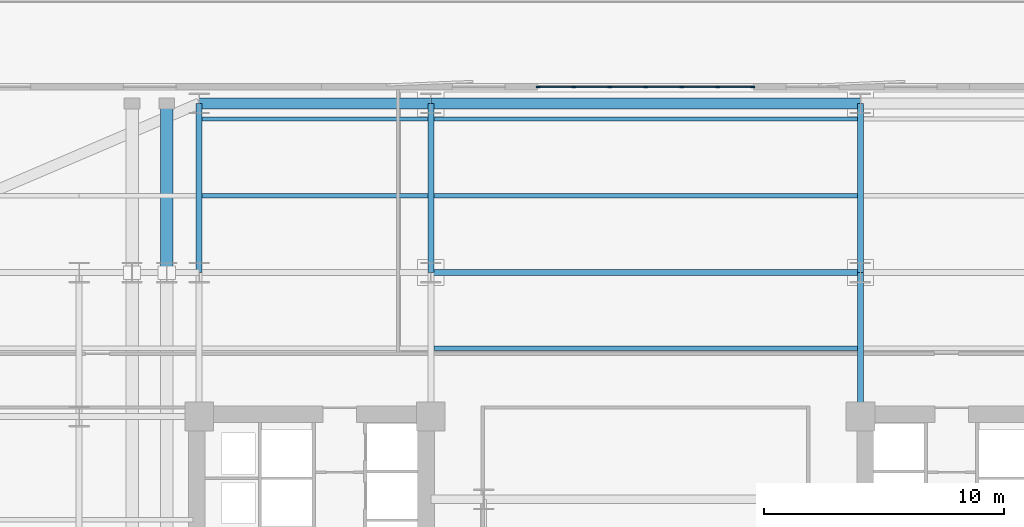
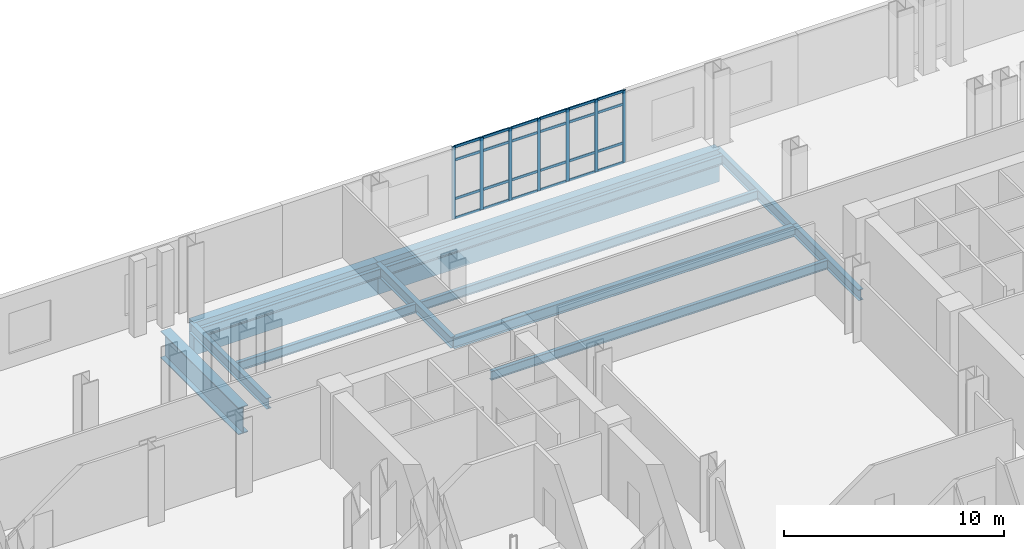
# One storey, part 3 of 14: 31 members, 13 beams, 1 element without a shape of its own.
"""IFC4 building model written with IfcOpenShell, lengths in metres."""

from ifc_helpers import new_model, si_unit, direction, frame, origin, origin_2d, place, context, subcontext, project, spatial, rectangle, i_section, extrude, material, layer, layer_set, material_profile, profile_set, type_object, element, aggregate, save


model = new_model("IFC4")

# Units and contexts
model_context = context("Model", 3, precision=1e-05, world=origin(), true_north=direction((0.0, 1.0)))
body_context = subcontext(model_context, "Body", "Model", "MODEL_VIEW")
ifc_project = project(units=[si_unit("LENGTHUNIT", "METRE"), si_unit("AREAUNIT", "SQUARE_METRE"), si_unit("VOLUMEUNIT", "CUBIC_METRE"), si_unit("PLANEANGLEUNIT", "RADIAN"), si_unit("MASSUNIT", "GRAM", prefix="KILO")], contexts=[model_context])

# Site, building, storey
site_placement = place(None, origin())
site = spatial("IfcSite", under=ifc_project, at=site_placement, CompositionType="ELEMENT")
building_placement = place(site_placement, origin())
building = spatial("IfcBuilding", under=site, at=building_placement, Name="Velakula Bourse", CompositionType="ELEMENT")
storey_placement = place(building_placement, frame((0.0, 0.0, 27.0)))
storey = spatial("IfcBuildingStorey", under=building, at=storey_placement, Name="L06", CompositionType="ELEMENT", Elevation=27.0)

# Beams
ifc_material_1 = material(Name="Steel IS 2062 Grade 350 (E350)", Category="steel")
ifc_material_profile_1 = material_profile(ifc_material_1, i_section(OverallWidth=0.25, OverallDepth=0.60009765625, WebThickness=0.01171875, FlangeThickness=0.023681640625, at=origin_2d()), Name="Steel IS 2062 Grade 350 (E350)")
ifc_profile_set_1 = profile_set([ifc_material_profile_1], Name="Steel IS 2062 Grade 350 (E350)")
beam_type_1 = type_object("IfcBeamType", Name="BM-GRD-600H", PredefinedType="BEAM", material=ifc_profile_set_1)
beam_1_placement = place(storey_placement, frame((8.949951171875, 8.60009765625, -0.580078125), z_axis=(0.0, 1.0, 0.0), x_axis=(-1.0, 0.0, 0.0)))
element("IfcBeam", 1, at=beam_1_placement, inside=storey, type_object=beam_type_1, Name="L06 Fulcrum Grid Girder FLC-ECN", PredefinedType="BEAM", context=body_context, shape_type="SweptSolid", body=[
    extrude(i_section(OverallWidth=0.25, OverallDepth=0.60009765625, WebThickness=0.01171875, FlangeThickness=0.023681640625, at=origin_2d()), origin(), (0.0, 0.0, 1.0), 6.0),
])
beam_2_placement = place(storey_placement, frame((-8.949951171875, 14.60009765625, -0.580078125), z_axis=(1.0, 0.0, 0.0), x_axis=(0.0, 1.0, 0.0)))
element("IfcBeam", 2, at=beam_2_placement, inside=storey, type_object=beam_type_1, Name="L06 Fulcrum Grid Girder FLC-N2", PredefinedType="BEAM", context=body_context, shape_type="SweptSolid", body=[
    extrude(i_section(OverallWidth=0.25, OverallDepth=0.60009765625, WebThickness=0.01171875, FlangeThickness=0.023681640625, at=origin_2d()), origin(), (0.0, 0.0, 1.0), 17.89990234375),
])
for number, where, z_axis, x_axis, name in (
    (3, (-18.60009765625, 14.60009765625, -0.580078125), (0.0, 1.0, 0.0), (-1.0, 0.0, 0.0), "L06 Perimeter Tie Girder N1"),
    (4, (-8.949951171875, 14.60009765625, -0.580078125), (0.0, 1.0, 0.0), (-1.0, 0.0, 0.0), "L06 Perimeter Tie Girder N2"),
    (5, (8.949951171875, 14.60009765625, -0.580078125), (0.0, 1.0, 0.0), (-1.0, 0.0, 0.0), "L06 Perimeter Tie Girder N3"),
):
    element("IfcBeam", number, at=place(storey_placement, frame(where, z_axis=z_axis, x_axis=x_axis)), inside=storey, type_object=beam_type_1, Name=name, PredefinedType="BEAM", context=body_context, shape_type="SweptSolid", body=[
        extrude(i_section(OverallWidth=0.25, OverallDepth=0.60009765625, WebThickness=0.01171875, FlangeThickness=0.023681640625, at=origin_2d()), origin(), (0.0, 0.0, 1.0), 7.0498046875),
    ])
ifc_material_profile_2 = material_profile(ifc_material_1, i_section(OverallWidth=0.179931640625, OverallDepth=0.5, WebThickness=0.01025390625, FlangeThickness=0.01708984375, at=origin_2d()), Name="Steel IS 2062 Grade 350 (E350)")
ifc_profile_set_2 = profile_set([ifc_material_profile_2], Name="Steel IS 2062 Grade 350 (E350)")
beam_type_2 = type_object("IfcBeamType", Name="JST-TWR-500", PredefinedType="JOIST", material=ifc_profile_set_2)
beam_3_placement = place(storey_placement, frame((-8.824951171875, 11.449951171875, -0.530029296875), z_axis=(1.0, 0.0, 0.0), x_axis=(0.0, 1.0, 0.0)))
element("IfcBeam", 6, at=beam_3_placement, inside=storey, type_object=beam_type_2, Name="L06 Trading Floor Composite Joist 24", PredefinedType="JOIST", context=body_context, shape_type="SweptSolid", body=[
    extrude(i_section(OverallWidth=0.179931640625, OverallDepth=0.5, WebThickness=0.01025390625, FlangeThickness=0.01708984375, at=origin_2d()), origin(), (0.0, 0.0, 1.0), 17.64990234375),
])
beam_4_placement = place(storey_placement, frame((-18.47509765625, 17.800048828125, -0.530029296875), z_axis=(1.0, 0.0, 0.0), x_axis=(0.0, 1.0, 0.0)))
element("IfcBeam", 7, at=beam_4_placement, inside=storey, type_object=beam_type_2, Name="L06 Trading Floor Composite Joist 31", PredefinedType="JOIST", context=body_context, shape_type="SweptSolid", body=[
    extrude(i_section(OverallWidth=0.179931640625, OverallDepth=0.5, WebThickness=0.01025390625, FlangeThickness=0.01708984375, at=origin_2d()), origin(), (0.0, 0.0, 1.0), 9.400146484375),
])
beam_5_placement = place(storey_placement, frame((-8.824951171875, 17.800048828125, -0.530029296875), z_axis=(1.0, 0.0, 0.0), x_axis=(0.0, 1.0, 0.0)))
element("IfcBeam", 8, at=beam_5_placement, inside=storey, type_object=beam_type_2, Name="L06 Trading Floor Composite Joist 32", PredefinedType="JOIST", context=body_context, shape_type="SweptSolid", body=[
    extrude(i_section(OverallWidth=0.179931640625, OverallDepth=0.5, WebThickness=0.01025390625, FlangeThickness=0.01708984375, at=origin_2d()), origin(), (0.0, 0.0, 1.0), 17.64990234375),
])
beam_6_placement = place(storey_placement, frame((-18.47509765625, 21.0, -0.530029296875), z_axis=(1.0, 0.0, 0.0), x_axis=(0.0, 1.0, 0.0)))
element("IfcBeam", 9, at=beam_6_placement, inside=storey, type_object=beam_type_2, Name="L06 Trading Floor Composite Joist 36", PredefinedType="JOIST", context=body_context, shape_type="SweptSolid", body=[
    extrude(i_section(OverallWidth=0.179931640625, OverallDepth=0.5, WebThickness=0.01025390625, FlangeThickness=0.01708984375, at=origin_2d()), origin(), (0.0, 0.0, 1.0), 9.400146484375),
])
beam_7_placement = place(storey_placement, frame((-8.824951171875, 21.0, -0.530029296875), z_axis=(1.0, 0.0, 0.0), x_axis=(0.0, 1.0, 0.0)))
element("IfcBeam", 10, at=beam_7_placement, inside=storey, type_object=beam_type_2, Name="L06 Trading Floor Composite Joist 37", PredefinedType="JOIST", context=body_context, shape_type="SweptSolid", body=[
    extrude(i_section(OverallWidth=0.179931640625, OverallDepth=0.5, WebThickness=0.01025390625, FlangeThickness=0.01708984375, at=origin_2d()), origin(), (0.0, 0.0, 1.0), 17.64990234375),
])

# Curtain wall, members
ifc_material_2 = material(Name="Anodised bronze architectural aluminium", Category="aluminium")
ifc_layer = layer(ifc_material_2, 0.1650390625, Name="Anodised bronze architectural aluminium", Category="aluminium")
ifc_layer_set = layer_set([ifc_layer], Name="Anodised bronze architectural aluminium")
curtain_wall_type = type_object("IfcCurtainWallType", Name="CW-SL1", PredefinedType="NOTDEFINED", material=ifc_layer_set)
curtain_wall_placement = place(storey_placement, origin())
curtain_wall = element("IfcCurtainWall", 11, at=curtain_wall_placement, inside=storey, type_object=curtain_wall_type, Name="L06 Sky-Lobby Feature Curtain Wall", PredefinedType="NOTDEFINED")
ifc_material_profile_3 = material_profile(ifc_material_2, rectangle(XDim=0.06005859375, YDim=0.1650390625, at=origin_2d()), Name="Anodised bronze architectural aluminium")
ifc_profile_set_3 = profile_set([ifc_material_profile_3], Name="Anodised bronze architectural aluminium")
member_type_1 = type_object("IfcMemberType", Name="MUL-CW-SL1", PredefinedType="MULLION", material=ifc_profile_set_3)
member_1_placement = place(storey_placement, frame((-4.469970703125, 22.340087890625, 0.0), z_axis=(0.0, 0.0, 1.0), x_axis=(0.0, 1.0, 0.0)))
member_1 = element("IfcMember", 12, at=member_1_placement, type_object=member_type_1, Name="CW-SL1 mullion 1", PredefinedType="MULLION", context=body_context, shape_type="SweptSolid", body=[
    extrude(rectangle(XDim=0.06005859375, YDim=0.1650390625, at=origin_2d()), origin(), (0.0, 0.0, 1.0), 4.0),
])
member_2_placement = place(storey_placement, frame((-3.0, 22.340087890625, 0.0), z_axis=(0.0, 0.0, 1.0), x_axis=(0.0, 1.0, 0.0)))
member_2 = element("IfcMember", 13, at=member_2_placement, type_object=member_type_1, Name="CW-SL1 mullion 2", PredefinedType="MULLION", context=body_context, shape_type="SweptSolid", body=[
    extrude(rectangle(XDim=0.06005859375, YDim=0.1650390625, at=origin_2d()), origin(), (0.0, 0.0, 1.0), 4.0),
])
member_3_placement = place(storey_placement, frame((-1.5, 22.340087890625, 0.0), z_axis=(0.0, 0.0, 1.0), x_axis=(0.0, 1.0, 0.0)))
member_3 = element("IfcMember", 14, at=member_3_placement, type_object=member_type_1, Name="CW-SL1 mullion 3", PredefinedType="MULLION", context=body_context, shape_type="SweptSolid", body=[
    extrude(rectangle(XDim=0.06005859375, YDim=0.1650390625, at=origin_2d()), origin(), (0.0, 0.0, 1.0), 4.0),
])
member_4_placement = place(storey_placement, frame((0.0, 22.340087890625, 0.0), z_axis=(0.0, 0.0, 1.0), x_axis=(0.0, 1.0, 0.0)))
member_4 = element("IfcMember", 15, at=member_4_placement, type_object=member_type_1, Name="CW-SL1 mullion 4", PredefinedType="MULLION", context=body_context, shape_type="SweptSolid", body=[
    extrude(rectangle(XDim=0.06005859375, YDim=0.1650390625, at=origin_2d()), origin(), (0.0, 0.0, 1.0), 4.0),
])
member_5_placement = place(storey_placement, frame((1.5, 22.340087890625, 0.0), z_axis=(0.0, 0.0, 1.0), x_axis=(0.0, 1.0, 0.0)))
member_5 = element("IfcMember", 16, at=member_5_placement, type_object=member_type_1, Name="CW-SL1 mullion 5", PredefinedType="MULLION", context=body_context, shape_type="SweptSolid", body=[
    extrude(rectangle(XDim=0.06005859375, YDim=0.1650390625, at=origin_2d()), origin(), (0.0, 0.0, 1.0), 4.0),
])
member_6_placement = place(storey_placement, frame((3.0, 22.340087890625, 0.0), z_axis=(0.0, 0.0, 1.0), x_axis=(0.0, 1.0, 0.0)))
member_6 = element("IfcMember", 17, at=member_6_placement, type_object=member_type_1, Name="CW-SL1 mullion 6", PredefinedType="MULLION", context=body_context, shape_type="SweptSolid", body=[
    extrude(rectangle(XDim=0.06005859375, YDim=0.1650390625, at=origin_2d()), origin(), (0.0, 0.0, 1.0), 4.0),
])
member_7_placement = place(storey_placement, frame((4.469970703125, 22.340087890625, 0.0), z_axis=(0.0, 0.0, 1.0), x_axis=(0.0, 1.0, 0.0)))
member_7 = element("IfcMember", 18, at=member_7_placement, type_object=member_type_1, Name="CW-SL1 mullion 7", PredefinedType="MULLION", context=body_context, shape_type="SweptSolid", body=[
    extrude(rectangle(XDim=0.06005859375, YDim=0.1650390625, at=origin_2d()), origin(), (0.0, 0.0, 1.0), 4.0),
])

# Beams
ifc_material_3 = material(Name="Concrete M50 (fck 50 MPa)", Category="concrete")
ifc_material_profile_4 = material_profile(ifc_material_3, rectangle(XDim=0.449951171875, YDim=1.800048828125, at=origin_2d()), Name="Concrete M50 (fck 50 MPa)")
ifc_profile_set_4 = profile_set([ifc_material_profile_4], Name="Concrete M50 (fck 50 MPa)")
beam_type_3 = type_object("IfcBeamType", Name="SPN-TRF-1800", PredefinedType="SPANDREL", material=ifc_profile_set_4)
beam_8_placement = place(storey_placement, frame((-18.60009765625, 21.64990234375, -1.179931640625), z_axis=(1.0, 0.0, 0.0), x_axis=(0.0, 1.0, 0.0)))
element("IfcBeam", 19, at=beam_8_placement, inside=storey, type_object=beam_type_3, Name="L06 Brick-Faced Precast Spandrel N1-N2", PredefinedType="SPANDREL", context=body_context, shape_type="SweptSolid", body=[
    extrude(rectangle(XDim=0.449951171875, YDim=1.800048828125, at=origin_2d()), origin(), (0.0, 0.0, 1.0), 9.650146484375),
])
beam_9_placement = place(storey_placement, frame((-8.949951171875, 21.64990234375, -1.179931640625), z_axis=(1.0, 0.0, 0.0), x_axis=(0.0, 1.0, 0.0)))
element("IfcBeam", 20, at=beam_9_placement, inside=storey, type_object=beam_type_3, Name="L06 Brick-Faced Precast Spandrel N2-N3", PredefinedType="SPANDREL", context=body_context, shape_type="SweptSolid", body=[
    extrude(rectangle(XDim=0.449951171875, YDim=1.800048828125, at=origin_2d()), origin(), (0.0, 0.0, 1.0), 17.89990234375),
])
ifc_material_4 = material(Name="Steel IS 2062 Grade 450 (E450)", Category="steel")
ifc_material_profile_5 = material_profile(ifc_material_4, i_section(OverallWidth=0.52001953125, OverallDepth=1.5, WebThickness=0.030029296875, FlangeThickness=0.048095703125, at=origin_2d()), Name="Steel IS 2062 Grade 450 (E450)")
ifc_profile_set_5 = profile_set([ifc_material_profile_5], Name="Steel IS 2062 Grade 450 (E450)")
beam_type_4 = type_object("IfcBeamType", Name="TB-CANT-1500", PredefinedType="BEAM", material=ifc_profile_set_5)
beam_10_placement = place(storey_placement, frame((-19.949951171875, 14.60009765625, -1.030029296875), z_axis=(0.0, 1.0, 0.0), x_axis=(-1.0, 0.0, 0.0)))
element("IfcBeam", 21, at=beam_10_placement, inside=storey, type_object=beam_type_4, Name="L06 Primary Cantilever Transfer Chord P06", PredefinedType="BEAM", context=body_context, shape_type="SweptSolid", body=[
    extrude(i_section(OverallWidth=0.52001953125, OverallDepth=1.5, WebThickness=0.030029296875, FlangeThickness=0.048095703125, at=origin_2d()), origin(), (0.0, 0.0, 1.0), 7.0498046875),
])

# Member
ifc_material_profile_6 = material_profile(ifc_material_2, rectangle(XDim=0.06005859375, YDim=0.139892578125, at=origin_2d()), Name="Anodised bronze architectural aluminium")
ifc_profile_set_6 = profile_set([ifc_material_profile_6], Name="Anodised bronze architectural aluminium")
member_type_2 = type_object("IfcMemberType", Name="TRN-CW-SL1", PredefinedType="USERDEFINED", material=ifc_profile_set_6)
member_8_placement = place(storey_placement, frame((-4.43994140625, 22.340087890625, 0.030029296875), z_axis=(1.0, 0.0, 0.0), x_axis=(0.0, 1.0, 0.0)))
member_8 = element("IfcMember", 22, at=member_8_placement, type_object=member_type_2, Name="CW-SL1 transom 1.1", ObjectType="TRANSOM", PredefinedType="USERDEFINED", context=body_context, shape_type="SweptSolid", body=[
    extrude(rectangle(XDim=0.06005859375, YDim=0.139892578125, at=origin_2d()), origin(), (0.0, 0.0, 1.0), 1.409912109375),
])

member_9_placement = place(storey_placement, frame((-4.43994140625, 22.340087890625, 1.10009765625), z_axis=(1.0, 0.0, 0.0), x_axis=(0.0, 1.0, 0.0)))
member_9 = element("IfcMember", 23, at=member_9_placement, type_object=member_type_2, Name="CW-SL1 transom 1.2", ObjectType="TRANSOM", PredefinedType="USERDEFINED", context=body_context, shape_type="SweptSolid", body=[
    extrude(rectangle(XDim=0.06005859375, YDim=0.139892578125, at=origin_2d()), origin(), (0.0, 0.0, 1.0), 1.409912109375),
])

member_10_placement = place(storey_placement, frame((-4.43994140625, 22.340087890625, 3.25), z_axis=(1.0, 0.0, 0.0), x_axis=(0.0, 1.0, 0.0)))
member_10 = element("IfcMember", 24, at=member_10_placement, type_object=member_type_2, Name="CW-SL1 transom 1.3", ObjectType="TRANSOM", PredefinedType="USERDEFINED", context=body_context, shape_type="SweptSolid", body=[
    extrude(rectangle(XDim=0.06005859375, YDim=0.139892578125, at=origin_2d()), origin(), (0.0, 0.0, 1.0), 1.409912109375),
])

member_11_placement = place(storey_placement, frame((-4.43994140625, 22.340087890625, 3.969970703125), z_axis=(1.0, 0.0, 0.0), x_axis=(0.0, 1.0, 0.0)))
member_11 = element("IfcMember", 25, at=member_11_placement, type_object=member_type_2, Name="CW-SL1 transom 1.4", ObjectType="TRANSOM", PredefinedType="USERDEFINED", context=body_context, shape_type="SweptSolid", body=[
    extrude(rectangle(XDim=0.06005859375, YDim=0.139892578125, at=origin_2d()), origin(), (0.0, 0.0, 1.0), 1.409912109375),
])

member_12_placement = place(storey_placement, frame((-2.969970703125, 22.340087890625, 0.030029296875), z_axis=(1.0, 0.0, 0.0), x_axis=(0.0, 1.0, 0.0)))
member_12 = element("IfcMember", 26, at=member_12_placement, type_object=member_type_2, Name="CW-SL1 transom 2.1", ObjectType="TRANSOM", PredefinedType="USERDEFINED", context=body_context, shape_type="SweptSolid", body=[
    extrude(rectangle(XDim=0.06005859375, YDim=0.139892578125, at=origin_2d()), origin(), (0.0, 0.0, 1.0), 1.43994140625),
])

member_13_placement = place(storey_placement, frame((-2.969970703125, 22.340087890625, 1.10009765625), z_axis=(1.0, 0.0, 0.0), x_axis=(0.0, 1.0, 0.0)))
member_13 = element("IfcMember", 27, at=member_13_placement, type_object=member_type_2, Name="CW-SL1 transom 2.2", ObjectType="TRANSOM", PredefinedType="USERDEFINED", context=body_context, shape_type="SweptSolid", body=[
    extrude(rectangle(XDim=0.06005859375, YDim=0.139892578125, at=origin_2d()), origin(), (0.0, 0.0, 1.0), 1.43994140625),
])

member_14_placement = place(storey_placement, frame((-2.969970703125, 22.340087890625, 3.25), z_axis=(1.0, 0.0, 0.0), x_axis=(0.0, 1.0, 0.0)))
member_14 = element("IfcMember", 28, at=member_14_placement, type_object=member_type_2, Name="CW-SL1 transom 2.3", ObjectType="TRANSOM", PredefinedType="USERDEFINED", context=body_context, shape_type="SweptSolid", body=[
    extrude(rectangle(XDim=0.06005859375, YDim=0.139892578125, at=origin_2d()), origin(), (0.0, 0.0, 1.0), 1.43994140625),
])

member_15_placement = place(storey_placement, frame((-2.969970703125, 22.340087890625, 3.969970703125), z_axis=(1.0, 0.0, 0.0), x_axis=(0.0, 1.0, 0.0)))
member_15 = element("IfcMember", 29, at=member_15_placement, type_object=member_type_2, Name="CW-SL1 transom 2.4", ObjectType="TRANSOM", PredefinedType="USERDEFINED", context=body_context, shape_type="SweptSolid", body=[
    extrude(rectangle(XDim=0.06005859375, YDim=0.139892578125, at=origin_2d()), origin(), (0.0, 0.0, 1.0), 1.43994140625),
])

member_16_placement = place(storey_placement, frame((-1.469970703125, 22.340087890625, 0.030029296875), z_axis=(1.0, 0.0, 0.0), x_axis=(0.0, 1.0, 0.0)))
member_16 = element("IfcMember", 30, at=member_16_placement, type_object=member_type_2, Name="CW-SL1 transom 3.1", ObjectType="TRANSOM", PredefinedType="USERDEFINED", context=body_context, shape_type="SweptSolid", body=[
    extrude(rectangle(XDim=0.06005859375, YDim=0.139892578125, at=origin_2d()), origin(), (0.0, 0.0, 1.0), 1.43994140625),
])

member_17_placement = place(storey_placement, frame((-1.469970703125, 22.340087890625, 1.10009765625), z_axis=(1.0, 0.0, 0.0), x_axis=(0.0, 1.0, 0.0)))
member_17 = element("IfcMember", 31, at=member_17_placement, type_object=member_type_2, Name="CW-SL1 transom 3.2", ObjectType="TRANSOM", PredefinedType="USERDEFINED", context=body_context, shape_type="SweptSolid", body=[
    extrude(rectangle(XDim=0.06005859375, YDim=0.139892578125, at=origin_2d()), origin(), (0.0, 0.0, 1.0), 1.43994140625),
])

member_18_placement = place(storey_placement, frame((-1.469970703125, 22.340087890625, 3.25), z_axis=(1.0, 0.0, 0.0), x_axis=(0.0, 1.0, 0.0)))
member_18 = element("IfcMember", 32, at=member_18_placement, type_object=member_type_2, Name="CW-SL1 transom 3.3", ObjectType="TRANSOM", PredefinedType="USERDEFINED", context=body_context, shape_type="SweptSolid", body=[
    extrude(rectangle(XDim=0.06005859375, YDim=0.139892578125, at=origin_2d()), origin(), (0.0, 0.0, 1.0), 1.43994140625),
])

member_19_placement = place(storey_placement, frame((-1.469970703125, 22.340087890625, 3.969970703125), z_axis=(1.0, 0.0, 0.0), x_axis=(0.0, 1.0, 0.0)))
member_19 = element("IfcMember", 33, at=member_19_placement, type_object=member_type_2, Name="CW-SL1 transom 3.4", ObjectType="TRANSOM", PredefinedType="USERDEFINED", context=body_context, shape_type="SweptSolid", body=[
    extrude(rectangle(XDim=0.06005859375, YDim=0.139892578125, at=origin_2d()), origin(), (0.0, 0.0, 1.0), 1.43994140625),
])

member_20_placement = place(storey_placement, frame((0.030029296875, 22.340087890625, 0.030029296875), z_axis=(1.0, 0.0, 0.0), x_axis=(0.0, 1.0, 0.0)))
member_20 = element("IfcMember", 34, at=member_20_placement, type_object=member_type_2, Name="CW-SL1 transom 4.1", ObjectType="TRANSOM", PredefinedType="USERDEFINED", context=body_context, shape_type="SweptSolid", body=[
    extrude(rectangle(XDim=0.06005859375, YDim=0.139892578125, at=origin_2d()), origin(), (0.0, 0.0, 1.0), 1.43994140625),
])

member_21_placement = place(storey_placement, frame((0.030029296875, 22.340087890625, 1.10009765625), z_axis=(1.0, 0.0, 0.0), x_axis=(0.0, 1.0, 0.0)))
member_21 = element("IfcMember", 35, at=member_21_placement, type_object=member_type_2, Name="CW-SL1 transom 4.2", ObjectType="TRANSOM", PredefinedType="USERDEFINED", context=body_context, shape_type="SweptSolid", body=[
    extrude(rectangle(XDim=0.06005859375, YDim=0.139892578125, at=origin_2d()), origin(), (0.0, 0.0, 1.0), 1.43994140625),
])

member_22_placement = place(storey_placement, frame((0.030029296875, 22.340087890625, 3.25), z_axis=(1.0, 0.0, 0.0), x_axis=(0.0, 1.0, 0.0)))
member_22 = element("IfcMember", 36, at=member_22_placement, type_object=member_type_2, Name="CW-SL1 transom 4.3", ObjectType="TRANSOM", PredefinedType="USERDEFINED", context=body_context, shape_type="SweptSolid", body=[
    extrude(rectangle(XDim=0.06005859375, YDim=0.139892578125, at=origin_2d()), origin(), (0.0, 0.0, 1.0), 1.43994140625),
])

member_23_placement = place(storey_placement, frame((0.030029296875, 22.340087890625, 3.969970703125), z_axis=(1.0, 0.0, 0.0), x_axis=(0.0, 1.0, 0.0)))
member_23 = element("IfcMember", 37, at=member_23_placement, type_object=member_type_2, Name="CW-SL1 transom 4.4", ObjectType="TRANSOM", PredefinedType="USERDEFINED", context=body_context, shape_type="SweptSolid", body=[
    extrude(rectangle(XDim=0.06005859375, YDim=0.139892578125, at=origin_2d()), origin(), (0.0, 0.0, 1.0), 1.43994140625),
])

member_24_placement = place(storey_placement, frame((1.530029296875, 22.340087890625, 0.030029296875), z_axis=(1.0, 0.0, 0.0), x_axis=(0.0, 1.0, 0.0)))
member_24 = element("IfcMember", 38, at=member_24_placement, type_object=member_type_2, Name="CW-SL1 transom 5.1", ObjectType="TRANSOM", PredefinedType="USERDEFINED", context=body_context, shape_type="SweptSolid", body=[
    extrude(rectangle(XDim=0.06005859375, YDim=0.139892578125, at=origin_2d()), origin(), (0.0, 0.0, 1.0), 1.43994140625),
])

member_25_placement = place(storey_placement, frame((1.530029296875, 22.340087890625, 1.10009765625), z_axis=(1.0, 0.0, 0.0), x_axis=(0.0, 1.0, 0.0)))
member_25 = element("IfcMember", 39, at=member_25_placement, type_object=member_type_2, Name="CW-SL1 transom 5.2", ObjectType="TRANSOM", PredefinedType="USERDEFINED", context=body_context, shape_type="SweptSolid", body=[
    extrude(rectangle(XDim=0.06005859375, YDim=0.139892578125, at=origin_2d()), origin(), (0.0, 0.0, 1.0), 1.43994140625),
])

member_26_placement = place(storey_placement, frame((1.530029296875, 22.340087890625, 3.25), z_axis=(1.0, 0.0, 0.0), x_axis=(0.0, 1.0, 0.0)))
member_26 = element("IfcMember", 40, at=member_26_placement, type_object=member_type_2, Name="CW-SL1 transom 5.3", ObjectType="TRANSOM", PredefinedType="USERDEFINED", context=body_context, shape_type="SweptSolid", body=[
    extrude(rectangle(XDim=0.06005859375, YDim=0.139892578125, at=origin_2d()), origin(), (0.0, 0.0, 1.0), 1.43994140625),
])

member_27_placement = place(storey_placement, frame((1.530029296875, 22.340087890625, 3.969970703125), z_axis=(1.0, 0.0, 0.0), x_axis=(0.0, 1.0, 0.0)))
member_27 = element("IfcMember", 41, at=member_27_placement, type_object=member_type_2, Name="CW-SL1 transom 5.4", ObjectType="TRANSOM", PredefinedType="USERDEFINED", context=body_context, shape_type="SweptSolid", body=[
    extrude(rectangle(XDim=0.06005859375, YDim=0.139892578125, at=origin_2d()), origin(), (0.0, 0.0, 1.0), 1.43994140625),
])

member_28_placement = place(storey_placement, frame((3.030029296875, 22.340087890625, 0.030029296875), z_axis=(1.0, 0.0, 0.0), x_axis=(0.0, 1.0, 0.0)))
member_28 = element("IfcMember", 42, at=member_28_placement, type_object=member_type_2, Name="CW-SL1 transom 6.1", ObjectType="TRANSOM", PredefinedType="USERDEFINED", context=body_context, shape_type="SweptSolid", body=[
    extrude(rectangle(XDim=0.06005859375, YDim=0.139892578125, at=origin_2d()), origin(), (0.0, 0.0, 1.0), 1.409912109375),
])

member_29_placement = place(storey_placement, frame((3.030029296875, 22.340087890625, 1.10009765625), z_axis=(1.0, 0.0, 0.0), x_axis=(0.0, 1.0, 0.0)))
member_29 = element("IfcMember", 43, at=member_29_placement, type_object=member_type_2, Name="CW-SL1 transom 6.2", ObjectType="TRANSOM", PredefinedType="USERDEFINED", context=body_context, shape_type="SweptSolid", body=[
    extrude(rectangle(XDim=0.06005859375, YDim=0.139892578125, at=origin_2d()), origin(), (0.0, 0.0, 1.0), 1.409912109375),
])

member_30_placement = place(storey_placement, frame((3.030029296875, 22.340087890625, 3.25), z_axis=(1.0, 0.0, 0.0), x_axis=(0.0, 1.0, 0.0)))
member_30 = element("IfcMember", 44, at=member_30_placement, type_object=member_type_2, Name="CW-SL1 transom 6.3", ObjectType="TRANSOM", PredefinedType="USERDEFINED", context=body_context, shape_type="SweptSolid", body=[
    extrude(rectangle(XDim=0.06005859375, YDim=0.139892578125, at=origin_2d()), origin(), (0.0, 0.0, 1.0), 1.409912109375),
])

member_31_placement = place(storey_placement, frame((3.030029296875, 22.340087890625, 3.969970703125), z_axis=(1.0, 0.0, 0.0), x_axis=(0.0, 1.0, 0.0)))
member_31 = element("IfcMember", 45, at=member_31_placement, type_object=member_type_2, Name="CW-SL1 transom 6.4", ObjectType="TRANSOM", PredefinedType="USERDEFINED", context=body_context, shape_type="SweptSolid", body=[
    extrude(rectangle(XDim=0.06005859375, YDim=0.139892578125, at=origin_2d()), origin(), (0.0, 0.0, 1.0), 1.409912109375),
])

aggregate(curtain_wall, [member_1, member_2, member_3, member_4, member_5, member_6, member_7, member_8, member_9, member_10, member_11, member_12, member_13, member_14, member_15, member_16, member_17, member_18, member_19, member_20, member_21, member_22, member_23, member_24, member_25, member_26, member_27, member_28, member_29, member_30, member_31])

save(model, "model.ifc")
